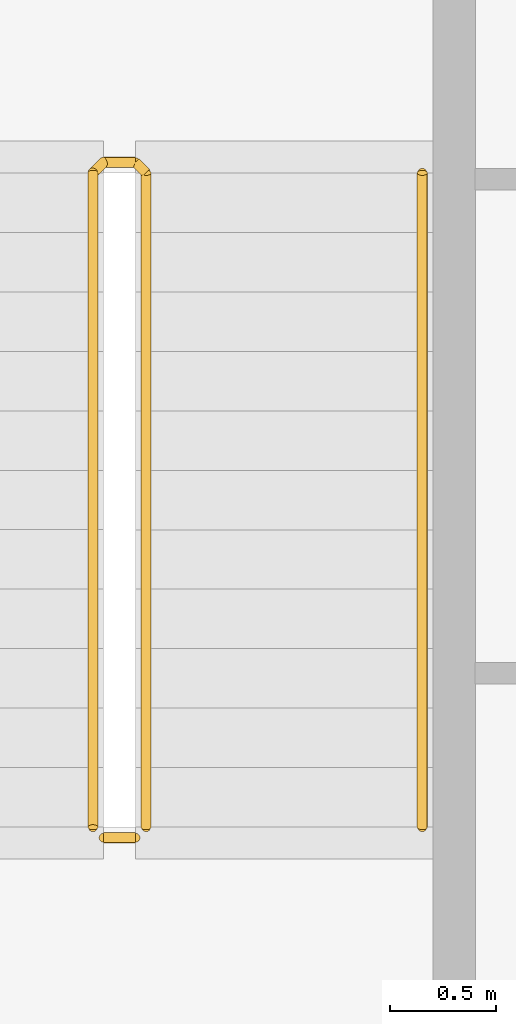
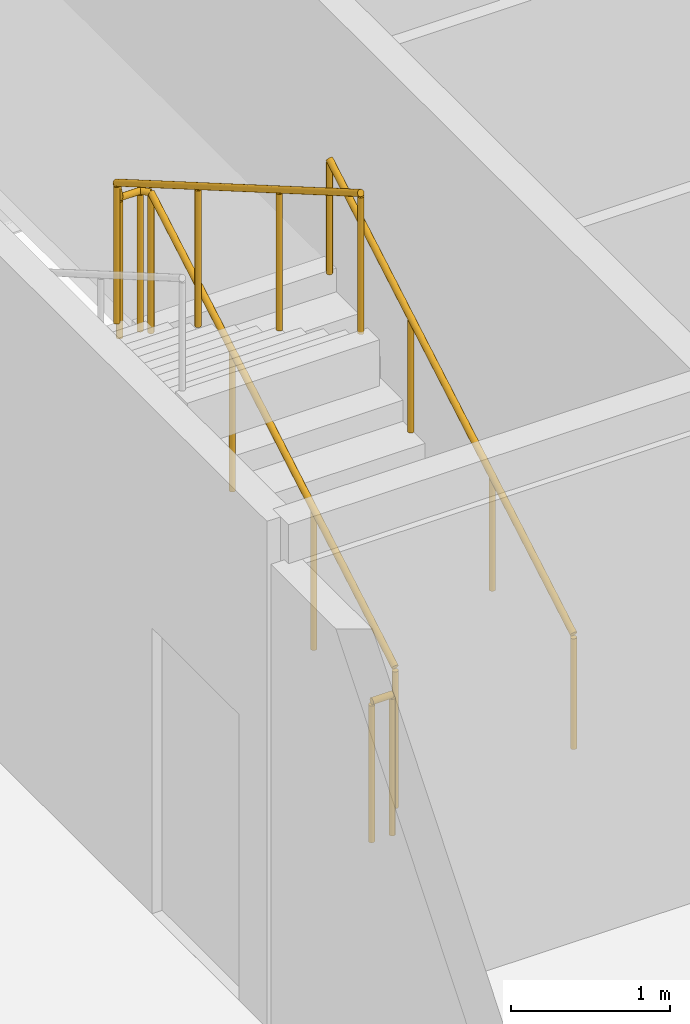
# One storey, part 28 of 29: 3 railings.
"""IFC4 building model written with IfcOpenShell, lengths in metres."""

import ifcopenshell
import ifcopenshell.guid

model = None  # the IFC model being written
_history = None  # IfcOwnerHistory: only IFC2X3 demands one
_inside = {}  # id of a spatial element -> (the spatial element, [elements in it])
_under = {}  # id of a project, library or spatial element -> (it, [spatial elements below it])
_declared = {}  # id of a project -> (the project, [libraries it declares])
_typed = {}  # id of a type object -> (the type object, [elements of that type])
_made_of = {}  # id of a material, layer set ... -> (it, [elements and type objects made of it])


def new_model(schema):
    """Start an empty IFC model of exactly this schema.

    Asked for "IFC4X3", IfcOpenShell would pick the latest addendum, in which some entities
    have other attributes; the version numbers below select the first issue.
    IFC2X3 requires an IfcOwnerHistory on every rooted entity: one is made here for all.
    """
    global model, _history
    if schema == "IFC4X3":
        model = ifcopenshell.file(schema_version=(4, 3, 0, 0))
    else:
        model = ifcopenshell.file(schema=schema)
    _inside.clear()
    _under.clear()
    _declared.clear()
    _typed.clear()
    _made_of.clear()
    _history = None
    if model.schema == "IFC2X3":
        org = make("IfcOrganization", Name="unknown")
        user = make(
            "IfcPersonAndOrganization",
            ThePerson=make("IfcPerson", FamilyName="unknown"),
            TheOrganization=org,
        )
        app = make(
            "IfcApplication",
            ApplicationDeveloper=org,
            Version="unknown",
            ApplicationFullName="unknown",
            ApplicationIdentifier="unknown",
        )
        _history = make(
            "IfcOwnerHistory",
            OwningUser=user,
            OwningApplication=app,
            ChangeAction="ADDED",
            CreationDate=0,
        )
    return model


def make(cls, **values):
    """One entity of the class cls with the attributes given. An attribute that is None is left unset."""
    return model.create_entity(
        cls, **{name: value for name, value in values.items() if value is not None}
    )


def rooted(cls, **values):
    """An entity with a GlobalId (a new one), such as an element, a storey or a relation."""
    return make(cls, GlobalId=ifcopenshell.guid.new(), OwnerHistory=_history, **values)


def si_unit(unit_type, name, prefix=None):
    """IfcSIUnit, for example si_unit("LENGTHUNIT", "METRE", prefix="MILLI")."""
    return make("IfcSIUnit", UnitType=unit_type, Prefix=prefix, Name=name)


def assignment(units):
    """IfcUnitAssignment: the units of a project."""
    return None if units is None else make("IfcUnitAssignment", Units=units)


def point(xyz):
    """IfcCartesianPoint."""
    return None if xyz is None else make("IfcCartesianPoint", Coordinates=xyz)


def direction(xyz):
    """IfcDirection."""
    return None if xyz is None else make("IfcDirection", DirectionRatios=xyz)


def frame(location, z_axis=None, x_axis=None):
    """IfcAxis2Placement3D, a coordinate frame: its origin and axes. An axis left out is left unset."""
    return make(
        "IfcAxis2Placement3D",
        Location=point(location),
        Axis=direction(z_axis),
        RefDirection=direction(x_axis),
    )


def frame_2d(location, x_axis=None):
    """IfcAxis2Placement2D, a coordinate frame in the plane: its origin and x axis."""
    return make(
        "IfcAxis2Placement2D", Location=point(location), RefDirection=direction(x_axis)
    )


def origin():
    """The frame at (0, 0, 0) with its axes left unset."""
    return frame((0.0, 0.0, 0.0))


def origin_2d():
    """The frame at (0, 0) in the plane with its x axis left unset."""
    return frame_2d((0.0, 0.0))


def place(relative_to, where):
    """IfcLocalPlacement: puts the frame where relative to a parent placement (None: the world)."""
    return make(
        "IfcLocalPlacement", PlacementRelTo=relative_to, RelativePlacement=where
    )


def context(
    kind, dimensions, precision=None, world=None, true_north=None, identifier=None
):
    """IfcGeometricRepresentationContext, for example the 3D "Model" context."""
    return make(
        "IfcGeometricRepresentationContext",
        ContextIdentifier=identifier,
        ContextType=kind,
        CoordinateSpaceDimension=dimensions,
        Precision=precision,
        WorldCoordinateSystem=world,
        TrueNorth=true_north,
    )


def subcontext(parent, identifier, kind, view, scale=None):
    """IfcGeometricRepresentationSubContext, for example "Body" below "Model"."""
    return make(
        "IfcGeometricRepresentationSubContext",
        ContextIdentifier=identifier,
        ContextType=kind,
        ParentContext=parent,
        TargetScale=scale,
        TargetView=view,
    )


def project(units=None, contexts=None):
    """IfcProject with its units and contexts."""
    return rooted(
        "IfcProject",
        Name="project",
        RepresentationContexts=contexts,
        UnitsInContext=assignment(units),
    )


def spatial(cls, under=None, at=None, **own):
    """A site, building, storey or space (cls), placed at a placement, below another one or the project."""
    s = rooted(cls, ObjectPlacement=at, **own)
    if under is not None:
        _under.setdefault(under.id(), (under, []))[1].append(s)
    return s


def profile(cls, at=None, kind="AREA", **sizes):
    """A parametric profile (cls). Its sizes go by their IFC names, for example OverallWidth=200.0."""
    return make(cls, ProfileType=kind, Position=at, **sizes)


def circle(**sizes):
    """IfcCircleProfileDef."""
    return profile("IfcCircleProfileDef", **sizes)


def extrude(swept, where, along, depth):
    """IfcExtrudedAreaSolid: the profile swept, set in the frame where, extruded along a direction by depth."""
    return make(
        "IfcExtrudedAreaSolid",
        SweptArea=swept,
        Position=where,
        ExtrudedDirection=direction(along),
        Depth=depth,
    )


def shape(context_of_items, identifier, shape_type, items):
    """IfcShapeRepresentation: the items that make up one representation, for example the "Body"."""
    return make(
        "IfcShapeRepresentation",
        ContextOfItems=context_of_items,
        RepresentationIdentifier=identifier,
        RepresentationType=shape_type,
        Items=items,
    )


def material(Name=None, Category=None):
    """IfcMaterial."""
    return make("IfcMaterial", Name=Name, Category=Category)


def made_of(thing, what):
    """Note that an element or type object is made of a material, layer set ...; save() writes the relation."""
    if what is not None:
        _made_of.setdefault(what.id(), (what, []))[1].append(thing)
    return thing


def type_object(cls, material=None, **own):
    """A type object (cls), such as IfcWallType, which elements share."""
    return made_of(rooted(cls, **own), material)


def element(
    cls,
    number,
    at=None,
    inside=None,
    cuts=None,
    type_object=None,
    material=None,
    context=None,
    identifier="Body",
    shape_type=None,
    held_by="IfcProductDefinitionShape",
    body=None,
    shapes=None,
    **own,
):
    """One element of the class cls, such as IfcWall. Its Tag is "e" and its number.

    at: its placement. inside: the storey or other place that contains it. cuts: it is an
    opening in that element (IfcRelVoidsElement). A single representation is given by context,
    identifier, shape_type and body (its items); several are given by shapes. held_by: the class
    of the entity that holds the representations. save() writes the other relations.
    """
    e = rooted(cls, Tag="e%d" % number, ObjectPlacement=at, **own)
    if body is not None:
        shapes = [shape(context, identifier, shape_type, body)]
    if shapes is not None:
        e.Representation = make(held_by, Representations=shapes)
    if inside is not None:
        _inside.setdefault(inside.id(), (inside, []))[1].append(e)
    if cuts is not None:
        rooted(
            "IfcRelVoidsElement", RelatingBuildingElement=cuts, RelatedOpeningElement=e
        )
    if type_object is not None:
        _typed.setdefault(type_object.id(), (type_object, []))[1].append(e)
    return made_of(e, material)


def aggregate(whole, parts):
    """IfcRelAggregates: a whole, such as a stair, and the parts it consists of."""
    return rooted("IfcRelAggregates", RelatingObject=whole, RelatedObjects=parts)


def save(model, path):
    """Write the relations noted so far, then the file.

    IfcRelAggregates (storeys below a building ...), IfcRelContainedInSpatialStructure (elements
    in a storey), IfcRelDefinesByType, IfcRelAssociatesMaterial and IfcRelDeclares: one each for
    every whole, place, type object, material and project.
    """
    for whole, parts in _under.values():
        aggregate(whole, parts)
    for where, things in _inside.values():
        rooted(
            "IfcRelContainedInSpatialStructure",
            RelatedElements=things,
            RelatingStructure=where,
        )
    for kind, things in _typed.values():
        rooted("IfcRelDefinesByType", RelatedObjects=things, RelatingType=kind)
    for what, things in _made_of.values():
        rooted("IfcRelAssociatesMaterial", RelatedObjects=things, RelatingMaterial=what)
    for by, libraries in _declared.values():
        rooted("IfcRelDeclares", RelatingContext=by, RelatedDefinitions=libraries)
    model.write(path)


model = new_model("IFC4")

# Units and contexts
model_context = context("Model", 3, precision=1e-05, world=origin(), true_north=direction((0.0, 1.0)))
body_context = subcontext(model_context, "Body", "Model", "MODEL_VIEW")
ifc_project = project(units=[si_unit("LENGTHUNIT", "METRE"), si_unit("AREAUNIT", "SQUARE_METRE"), si_unit("VOLUMEUNIT", "CUBIC_METRE"), si_unit("PLANEANGLEUNIT", "RADIAN"), si_unit("MASSUNIT", "GRAM", prefix="KILO")], contexts=[model_context])

# Site, building, storey
site_placement = place(None, origin())
site = spatial("IfcSite", under=ifc_project, at=site_placement, CompositionType="ELEMENT")
building_placement = place(site_placement, origin())
building = spatial("IfcBuilding", under=site, at=building_placement, Name="Kheshtan School and Residences Tower", CompositionType="ELEMENT")
storey_placement = place(building_placement, frame((0.0, 0.0, 61.699951171875)))
storey = spatial("IfcBuildingStorey", under=building, at=storey_placement, Name="L14", CompositionType="ELEMENT", Elevation=61.699951171875)

# Railings
ifc_material_1 = material(Name="Stainless steel balustrade", Category="steel")
railing_type_1 = type_object("IfcRailingType", Name="Stair guard 1100", PredefinedType="GUARDRAIL", material=ifc_material_1)
railing_1_placement = place(storey_placement, frame((35.0, 80.89990234375, 0.16259765625)))
element("IfcRailing", 1, at=railing_1_placement, inside=storey, type_object=railing_type_1, Name="L14 ST3 stair guard 1", PredefinedType="GUARDRAIL", context=body_context, shape_type="SweptSolid", body=[
    extrude(circle(Radius=0.02392578125, at=origin_2d()), frame((0.0, 0.0, 1.076171875), z_axis=(0.0, 0.864920483161, 0.501908913857), x_axis=(-1.0, 0.0, 0.0)), (0.0, 0.0, 1.0), 3.56103515625),
    extrude(circle(Radius=0.02392578125, at=origin_2d()), frame((0.0, 3.080078125, 2.86328125), z_axis=(-0.707106781187, 0.707106781187, 0.0), x_axis=(-0.707106781187, -0.707106781187, 0.0)), (0.0, 0.0, 1.0), 0.07080078125),
    extrude(circle(Radius=0.02392578125, at=origin_2d()), frame((-0.050048828125, 3.130126953125, 2.86328125), z_axis=(-1.0, 0.0, 0.0), x_axis=(0.0, -1.0, 0.0)), (0.0, 0.0, 1.0), 0.14990234375),
    extrude(circle(Radius=0.02392578125, at=origin_2d()), frame((-0.199951171875, 3.130126953125, 2.86328125), z_axis=(-0.282227285176, -0.282227285176, 0.916894497205), x_axis=(0.707106781187, -0.707106781187, 0.0)), (0.0, 0.0, 1.0), 0.17724609375),
    extrude(circle(Radius=0.02392578125, at=origin_2d()), frame((-0.25, 3.080078125, 3.02587890625), z_axis=(0.0, -0.864890721111, 0.501960198159), x_axis=(1.0, 0.0, 0.0)), (0.0, 0.0, 1.0), 3.561279296875),
    extrude(circle(Radius=0.02099609375, at=origin_2d()), origin(), (0.0, 0.0, 1.0), 1.052001953125),
    extrude(circle(Radius=0.02099609375, at=origin_2d()), frame((0.0, 1.026611328125, 0.595703125)), (0.0, 0.0, 1.0), 1.052001953125),
    extrude(circle(Radius=0.02099609375, at=origin_2d()), frame((0.0, 2.053466796875, 1.191650390625)), (0.0, 0.0, 1.0), 1.052001953125),
    extrude(circle(Radius=0.02099609375, at=origin_2d()), frame((0.0, 3.080078125, 1.787353515625)), (0.0, 0.0, 1.0), 1.052001953125),
    extrude(circle(Radius=0.02099609375, at=origin_2d()), frame((-0.050048828125, 3.130126953125, 1.787353515625)), (0.0, 0.0, 1.0), 1.052001953125),
    extrude(circle(Radius=0.02099609375, at=origin_2d()), frame((-0.199951171875, 3.130126953125, 1.787353515625)), (0.0, 0.0, 1.0), 1.052001953125),
    extrude(circle(Radius=0.02099609375, at=origin_2d()), frame((-0.25, 3.080078125, 1.949951171875)), (0.0, 0.0, 1.0), 1.052001953125),
    extrude(circle(Radius=0.02099609375, at=origin_2d()), frame((-0.25, 2.053466796875, 2.5458984375)), (0.0, 0.0, 1.0), 1.052001953125),
    extrude(circle(Radius=0.02099609375, at=origin_2d()), frame((-0.25, 1.026611328125, 3.1416015625)), (0.0, 0.0, 1.0), 1.052001953125),
    extrude(circle(Radius=0.02099609375, at=origin_2d()), frame((-0.25, 0.0, 3.737548828125)), (0.0, 0.0, 1.0), 1.052001953125),
])
railing_2_placement = place(storey_placement, frame((34.949951171875, 80.85009765625, 0.0)))
element("IfcRailing", 2, at=railing_2_placement, inside=storey, type_object=railing_type_1, Name="L14 ST3 stair guard 2", PredefinedType="GUARDRAIL", context=body_context, shape_type="SweptSolid", body=[
    extrude(circle(Radius=0.02392578125, at=origin_2d()), frame((0.0, 0.0, 1.076171875), z_axis=(-1.0, 0.0, 0.0), x_axis=(0.0, -1.0, 0.0)), (0.0, 0.0, 1.0), 0.14990234375),
    extrude(circle(Radius=0.02099609375, at=origin_2d()), origin(), (0.0, 0.0, 1.0), 1.052001953125),
    extrude(circle(Radius=0.02099609375, at=origin_2d()), frame((-0.14990234375, 0.0, 0.0)), (0.0, 0.0, 1.0), 1.052001953125),
])
ifc_material_2 = material(Name="Stainless steel handrail", Category="steel")
railing_type_2 = type_object("IfcRailingType", Name="Stair handrail 900", PredefinedType="HANDRAIL", material=ifc_material_2)
railing_3_placement = place(storey_placement, frame((36.300048828125, 80.89990234375, 0.16259765625)))
element("IfcRailing", 3, at=railing_3_placement, inside=storey, type_object=railing_type_2, Name="L14 ST3 stair handrail 1", PredefinedType="HANDRAIL", context=body_context, shape_type="SweptSolid", body=[
    extrude(circle(Radius=0.02392578125, at=origin_2d()), frame((0.0, 0.0, 0.8759765625), z_axis=(0.0, 0.864920483161, 0.501908913857), x_axis=(-1.0, 0.0, 0.0)), (0.0, 0.0, 1.0), 3.56103515625),
    extrude(circle(Radius=0.02099609375, at=origin_2d()), origin(), (0.0, 0.0, 1.0), 0.851806640625),
    extrude(circle(Radius=0.02099609375, at=origin_2d()), frame((0.0, 1.026611328125, 0.595703125)), (0.0, 0.0, 1.0), 0.851806640625),
    extrude(circle(Radius=0.02099609375, at=origin_2d()), frame((0.0, 2.053466796875, 1.191650390625)), (0.0, 0.0, 1.0), 0.851806640625),
    extrude(circle(Radius=0.02099609375, at=origin_2d()), frame((0.0, 3.080078125, 1.787353515625)), (0.0, 0.0, 1.0), 0.851806640625),
])

save(model, "model.ifc")
